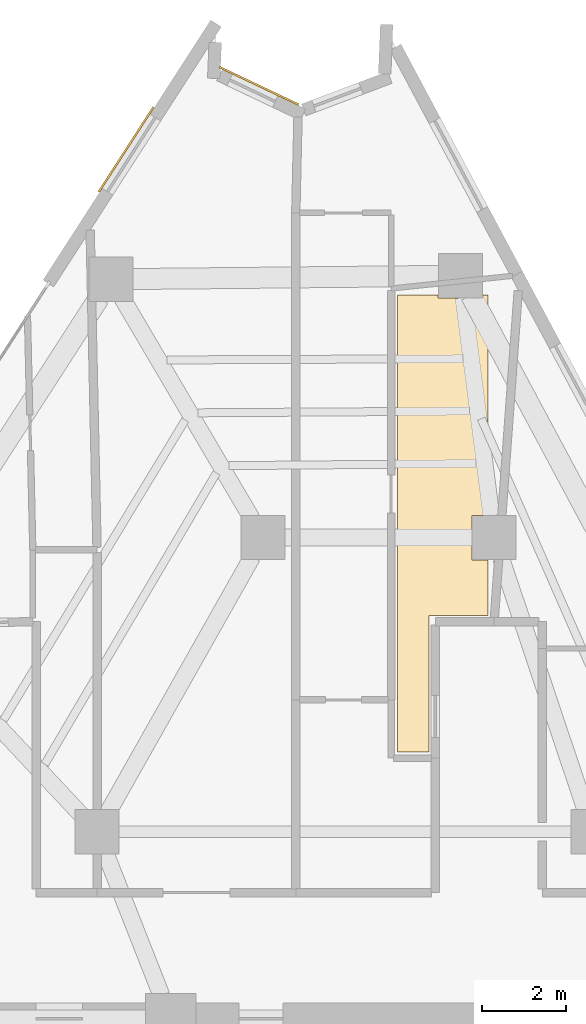
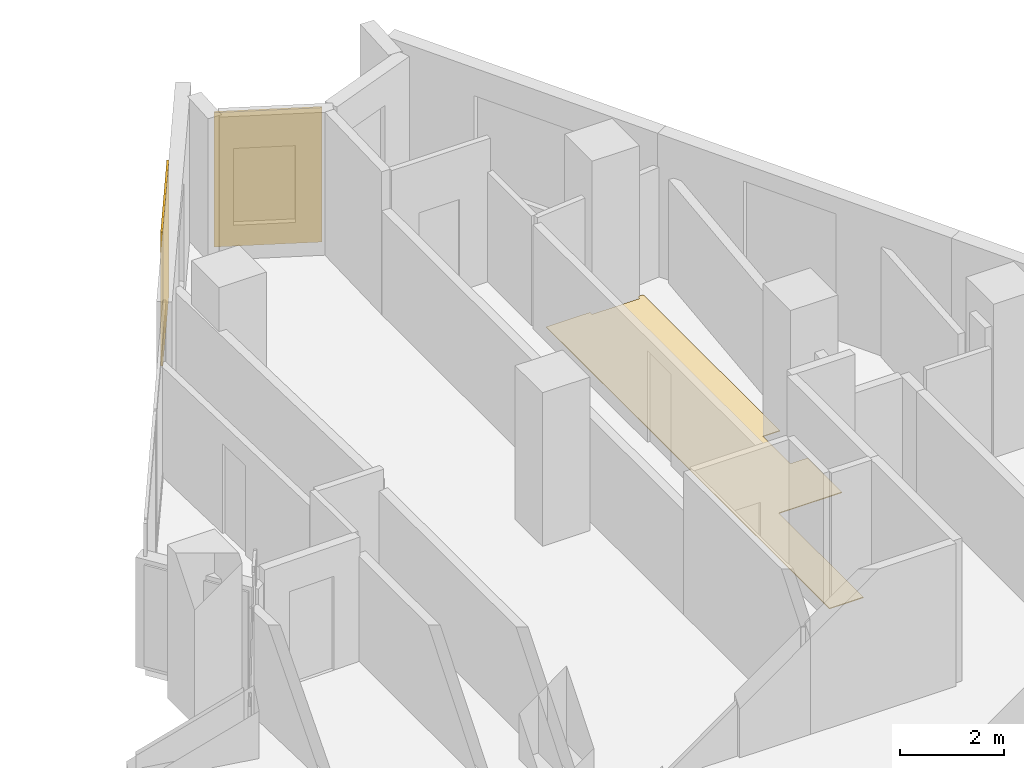
# One storey, part 11 of 11: 3 coverings.
"""IFC4 building model written with IfcOpenShell, lengths in metres."""

from ifc_helpers import new_model, si_unit, direction, frame, origin, origin_2d, place, context, subcontext, project, spatial, polyline, rectangle, outline, extrude, material, layer, layer_set, type_object, element, save


model = new_model("IFC4")

# Units and contexts
model_context = context("Model", 3, precision=1e-05, world=origin(), true_north=direction((0.0, 1.0)))
body_context = subcontext(model_context, "Body", "Model", "MODEL_VIEW")
ifc_project = project(units=[si_unit("LENGTHUNIT", "METRE"), si_unit("AREAUNIT", "SQUARE_METRE"), si_unit("VOLUMEUNIT", "CUBIC_METRE"), si_unit("PLANEANGLEUNIT", "RADIAN"), si_unit("MASSUNIT", "GRAM", prefix="KILO")], contexts=[model_context])

# Site, building, storey
site_placement = place(None, origin())
site = spatial("IfcSite", under=ifc_project, at=site_placement, CompositionType="ELEMENT")
building_placement = place(site_placement, origin())
building = spatial("IfcBuilding", under=site, at=building_placement, Name="Almagre Mirador Tower", CompositionType="ELEMENT")
storey_placement = place(building_placement, frame((0.0, 0.0, 178.800048828125)))
storey = spatial("IfcBuildingStorey", under=building, at=storey_placement, Name="L46", CompositionType="ELEMENT", Elevation=178.800048828125)

# Coverings
ifc_material_1 = material(Name="Almagre terracotta architectural cladding", Category="masonry")
ifc_layer_1 = layer(ifc_material_1, 0.044921875)
ifc_layer_set_1 = layer_set([ifc_layer_1], Name="Almagre terracotta architectural cladding")
covering_type_1 = type_object("IfcCoveringType", Name="COV-CLAD-ALMAGRE", PredefinedType="CLADDING", material=ifc_layer_set_1)
covering_1_placement = place(storey_placement, frame((34.0908203125, 35.4375, 0.10009765625), z_axis=(0.0, 0.0, 1.0), x_axis=(0.542030924747, 0.840358540516, 0.0)))
element("IfcCovering", 1, at=covering_1_placement, inside=storey, type_object=covering_type_1, Name="L46 almagre terracotta pier cladding", PredefinedType="CLADDING", context=body_context, shape_type="SweptSolid", body=[
    extrude(rectangle(XDim=2.39990234375, YDim=0.044921875, at=origin_2d()), origin(), (0.0, 0.0, 1.0), 3.14990234375),
])
covering_2_placement = place(storey_placement, frame((37.25390625, 36.953369140625, 0.10009765625), z_axis=(0.0, 0.0, 1.0), x_axis=(0.903492445122, -0.428604014922, 0.0)))
element("IfcCovering", 2, at=covering_2_placement, inside=storey, type_object=covering_type_1, Name="L46 almagre terracotta pier cladding", PredefinedType="CLADDING", context=body_context, shape_type="SweptSolid", body=[
    extrude(rectangle(XDim=2.0849609375, YDim=0.044921875, at=origin_2d()), origin(), (0.0, 0.0, 1.0), 3.14990234375),
])
ifc_material_2 = material(Name="Engineered white oak flooring", Category="wood")
ifc_layer_2 = layer(ifc_material_2, 0.01806640625)
ifc_layer_set_2 = layer_set([ifc_layer_2], Name="Engineered white oak flooring")
covering_type_2 = type_object("IfcCoveringType", Name="COV-FLR-OAK-18", PredefinedType="FLOORING", material=ifc_layer_set_2)
covering_3_placement = place(storey_placement, origin())
element("IfcCovering", 3, at=covering_3_placement, inside=storey, type_object=covering_type_2, Name="L46 Unit L46-H Living and Dining Room finish flooring", PredefinedType="FLOORING", context=body_context, shape_type="SweptSolid", body=[
    extrude(outline(polyline([(41.300048828125, 24.35009765625), (41.300048828125, 21.10009765625), (40.550048828125, 21.10009765625), (40.550048828125, 31.97998046875), (41.52001953125, 31.97998046875), (41.52001953125, 31.904052734375), (42.580078125, 31.904052734375), (42.580078125, 31.97998046875), (42.699951171875, 31.97998046875), (42.699951171875, 26.72998046875), (42.320068359375, 26.72998046875), (42.320068359375, 25.669921875), (42.699951171875, 25.669921875), (42.699951171875, 24.35009765625), (41.300048828125, 24.35009765625)])), origin(), (0.0, 0.0, 1.0), 0.01806640625),
])

save(model, "model.ifc")
